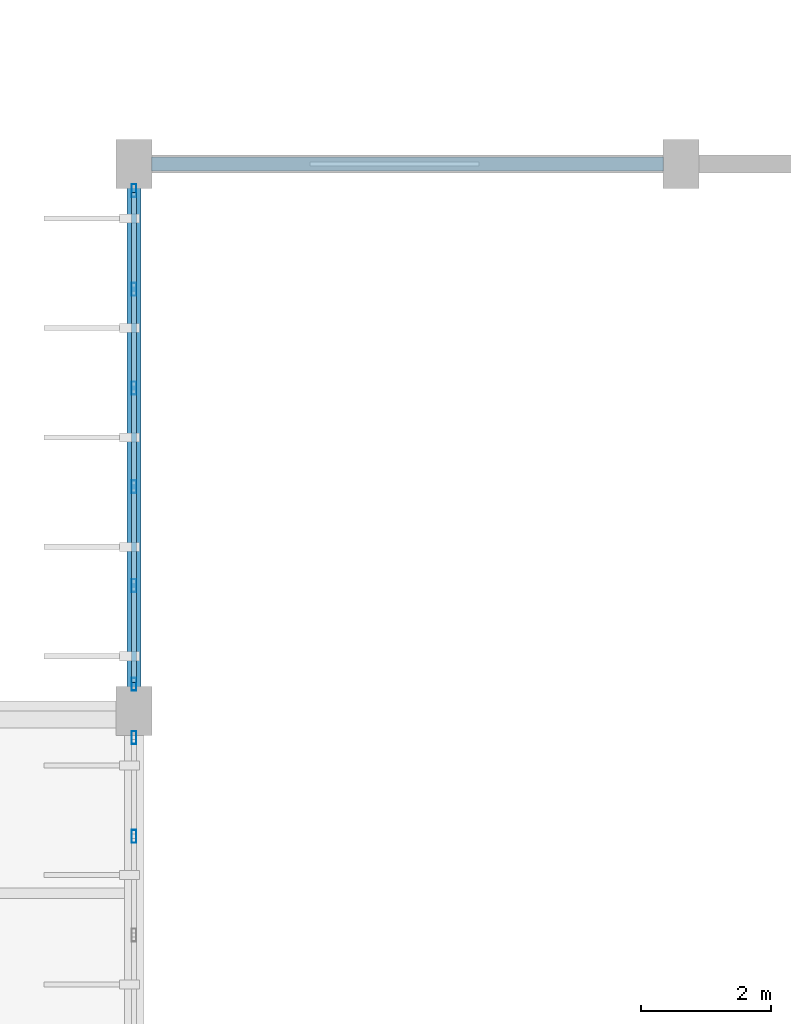
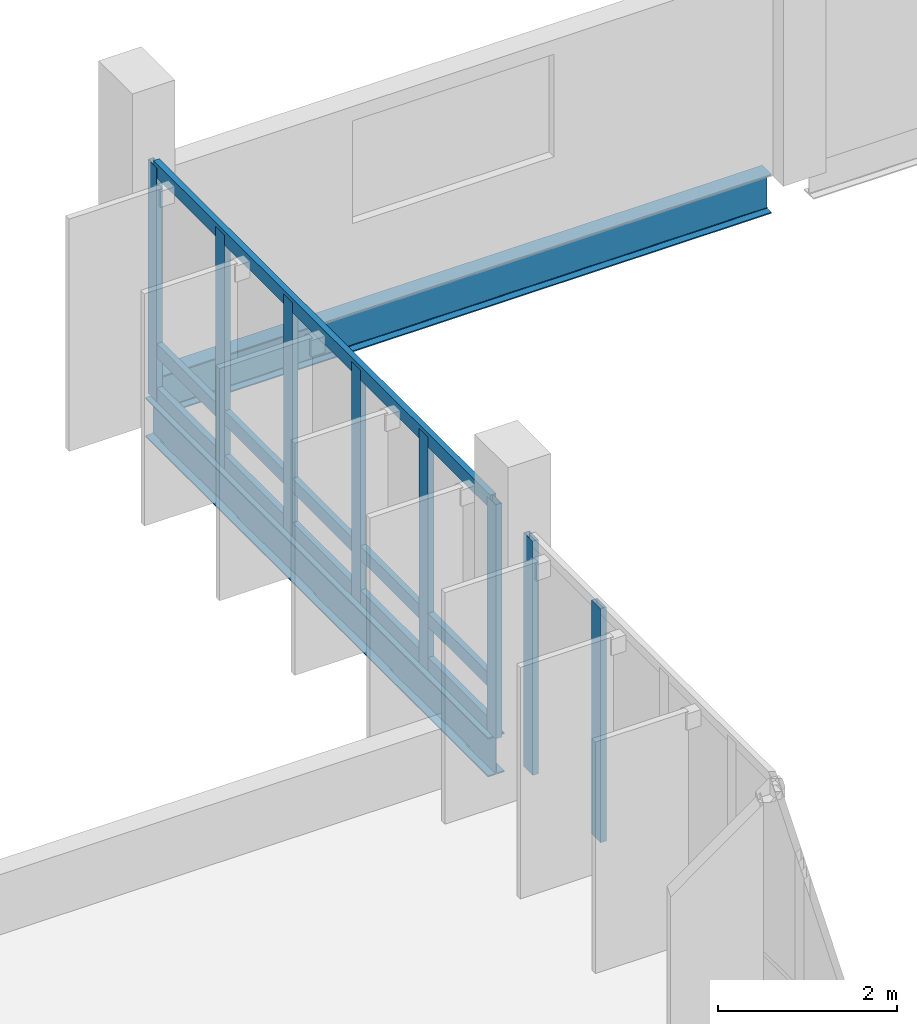
# One storey, part 92 of 130: 11 members, 2 beams, 2 elements without a shape of their own.
"""IFC4 building model written with IfcOpenShell, lengths in metres."""

from ifc_helpers import new_model, si_unit, direction, frame, origin, origin_2d, place, context, subcontext, project, spatial, hollow_rectangle, i_section, extrude, material, layer, layer_set, material_profile, profile_set, type_object, element, aggregate, save


model = new_model("IFC4")

# Units and contexts
model_context = context("Model", 3, precision=1e-05, world=origin(), true_north=direction((0.0, 1.0)))
body_context = subcontext(model_context, "Body", "Model", "MODEL_VIEW")
ifc_project = project(units=[si_unit("LENGTHUNIT", "METRE"), si_unit("AREAUNIT", "SQUARE_METRE"), si_unit("VOLUMEUNIT", "CUBIC_METRE"), si_unit("PLANEANGLEUNIT", "RADIAN"), si_unit("MASSUNIT", "GRAM", prefix="KILO")], contexts=[model_context])

# Site, building, storey
site_placement = place(None, origin())
site = spatial("IfcSite", under=ifc_project, at=site_placement, CompositionType="ELEMENT")
building_placement = place(site_placement, origin())
building = spatial("IfcBuilding", under=site, at=building_placement, Name="Vireocrest Preparatory School", CompositionType="ELEMENT")
storey_placement = place(building_placement, frame((0.0, 0.0, 9.0)))
storey = spatial("IfcBuildingStorey", under=building, at=storey_placement, Name="L02", CompositionType="ELEMENT", Elevation=9.0)

# Curtain wall, members
ifc_material_1 = material(Name="Thermally broken aluminium EN AW-6063-T6", Category="aluminium")
ifc_layer = layer(ifc_material_1, 0.179931640625)
ifc_layer_set = layer_set([ifc_layer], Name="Thermally broken aluminium EN AW-6063-T6")
curtain_wall_type = type_object("IfcCurtainWallType", Name="Teaching Fin Curtain Wall 8400x4200", PredefinedType="USERDEFINED", material=ifc_layer_set)
curtain_wall_1_placement = place(storey_placement, origin())
curtain_wall_1 = element("IfcCurtainWall", 1, at=curtain_wall_1_placement, inside=storey, type_object=curtain_wall_type, Name="Curtain Wall CW03 CW_L02_CW03_1428_0358_090", ObjectType="CURTAIN WALL", PredefinedType="USERDEFINED")
ifc_material_profile_1 = material_profile(ifc_material_1, hollow_rectangle(XDim=0.074951171875, YDim=0.199951171875, WallThickness=0.0048828125, at=origin_2d()), Name="ALU 75x200x5")
ifc_profile_set_1 = profile_set([ifc_material_profile_1], Name="Thermally broken aluminium EN AW-6063-T6")
member_type_1 = type_object("IfcMemberType", Name="CW Mullion 75x200x5", PredefinedType="MULLION", material=ifc_profile_set_1)
member_1_placement = place(storey_placement, frame((142.800048828125, 41.8740234375, 0.0), z_axis=(0.0, 0.0, 1.0), x_axis=(1.0, 0.0, 0.0)))
member_1 = element("IfcMember", 2, at=member_1_placement, type_object=member_type_1, Name="CW Mullion ML3 CW_L02_CW03_1428_0358_090-5", PredefinedType="MULLION", context=body_context, shape_type="SweptSolid", body=[
    extrude(hollow_rectangle(XDim=0.074951171875, YDim=0.199951171875, WallThickness=0.0048828125, at=origin_2d()), origin(), (0.0, 0.0, 1.0), 3.19189453125),
])
member_2_placement = place(storey_placement, frame((142.800048828125, 43.389892578125, 0.0), z_axis=(0.0, 0.0, 1.0), x_axis=(1.0, 0.0, 0.0)))
member_2 = element("IfcMember", 3, at=member_2_placement, type_object=member_type_1, Name="CW Mullion ML3 CW_L02_CW03_1428_0358_090-6", PredefinedType="MULLION", context=body_context, shape_type="SweptSolid", body=[
    extrude(hollow_rectangle(XDim=0.074951171875, YDim=0.199951171875, WallThickness=0.0048828125, at=origin_2d()), origin(), (0.0, 0.0, 1.0), 3.19189453125),
])
aggregate(curtain_wall_1, [member_1, member_2])

curtain_wall_2_placement = place(storey_placement, origin())
curtain_wall_2 = element("IfcCurtainWall", 4, at=curtain_wall_2_placement, inside=storey, type_object=curtain_wall_type, Name="Curtain Wall CW03 CW_L02_CW03_1428_0442_090", ObjectType="CURTAIN WALL", PredefinedType="USERDEFINED")
member_3_placement = place(storey_placement, frame((142.800048828125, 44.2099609375, 0.0), z_axis=(0.0, 0.0, 1.0), x_axis=(1.0, 0.0, 0.0)))
member_3 = element("IfcMember", 5, at=member_3_placement, type_object=member_type_1, Name="CW Mullion ML3 CW_L02_CW03_1428_0442_090-1", PredefinedType="MULLION", context=body_context, shape_type="SweptSolid", body=[
    extrude(hollow_rectangle(XDim=0.074951171875, YDim=0.199951171875, WallThickness=0.0048828125, at=origin_2d()), origin(), (0.0, 0.0, 1.0), 3.19189453125),
])
member_4_placement = place(storey_placement, frame((142.800048828125, 45.72607421875, 0.0), z_axis=(0.0, 0.0, 1.0), x_axis=(1.0, 0.0, 0.0)))
member_4 = element("IfcMember", 6, at=member_4_placement, type_object=member_type_1, Name="CW Mullion ML3 CW_L02_CW03_1428_0442_090-2", PredefinedType="MULLION", context=body_context, shape_type="SweptSolid", body=[
    extrude(hollow_rectangle(XDim=0.074951171875, YDim=0.199951171875, WallThickness=0.0048828125, at=origin_2d()), origin(), (0.0, 0.0, 1.0), 3.19189453125),
])
member_5_placement = place(storey_placement, frame((142.800048828125, 47.241943359375, 0.0), z_axis=(0.0, 0.0, 1.0), x_axis=(1.0, 0.0, 0.0)))
member_5 = element("IfcMember", 7, at=member_5_placement, type_object=member_type_1, Name="CW Mullion ML3 CW_L02_CW03_1428_0442_090-3", PredefinedType="MULLION", context=body_context, shape_type="SweptSolid", body=[
    extrude(hollow_rectangle(XDim=0.074951171875, YDim=0.199951171875, WallThickness=0.0048828125, at=origin_2d()), origin(), (0.0, 0.0, 1.0), 3.19189453125),
])
member_6_placement = place(storey_placement, frame((142.800048828125, 48.758056640625, 0.0), z_axis=(0.0, 0.0, 1.0), x_axis=(1.0, 0.0, 0.0)))
member_6 = element("IfcMember", 8, at=member_6_placement, type_object=member_type_1, Name="CW Mullion ML3 CW_L02_CW03_1428_0442_090-4", PredefinedType="MULLION", context=body_context, shape_type="SweptSolid", body=[
    extrude(hollow_rectangle(XDim=0.074951171875, YDim=0.199951171875, WallThickness=0.0048828125, at=origin_2d()), origin(), (0.0, 0.0, 1.0), 3.19189453125),
])
member_7_placement = place(storey_placement, frame((142.800048828125, 50.27392578125, 0.0), z_axis=(0.0, 0.0, 1.0), x_axis=(1.0, 0.0, 0.0)))
member_7 = element("IfcMember", 9, at=member_7_placement, type_object=member_type_1, Name="CW Mullion ML3 CW_L02_CW03_1428_0442_090-5", PredefinedType="MULLION", context=body_context, shape_type="SweptSolid", body=[
    extrude(hollow_rectangle(XDim=0.074951171875, YDim=0.199951171875, WallThickness=0.0048828125, at=origin_2d()), origin(), (0.0, 0.0, 1.0), 3.19189453125),
])
member_8_placement = place(storey_placement, frame((142.800048828125, 51.7900390625, 0.0), z_axis=(0.0, 0.0, 1.0), x_axis=(1.0, 0.0, 0.0)))
member_8 = element("IfcMember", 10, at=member_8_placement, type_object=member_type_1, Name="CW Mullion ML3 CW_L02_CW03_1428_0442_090-6", PredefinedType="MULLION", context=body_context, shape_type="SweptSolid", body=[
    extrude(hollow_rectangle(XDim=0.074951171875, YDim=0.199951171875, WallThickness=0.0048828125, at=origin_2d()), origin(), (0.0, 0.0, 1.0), 3.19189453125),
])
ifc_material_profile_2 = material_profile(ifc_material_1, hollow_rectangle(XDim=0.074951171875, YDim=0.18994140625, WallThickness=0.00390625, at=origin_2d()), Name="ALU 75x190x4")
ifc_profile_set_2 = profile_set([ifc_material_profile_2], Name="Thermally broken aluminium EN AW-6063-T6")
member_type_2 = type_object("IfcMemberType", Name="CW Transom 75x190x4", PredefinedType="USERDEFINED", material=ifc_profile_set_2)
member_9_placement = place(storey_placement, frame((142.800048828125, 44.235107421875, 0.094970703125), z_axis=(0.0, 1.0, 0.0), x_axis=(-1.0, 0.0, 0.0)))
member_9 = element("IfcMember", 11, at=member_9_placement, type_object=member_type_2, Name="CW Transom TR3 CW_L02_CW03_1428_0442_090-1", ObjectType="TRANSOM", PredefinedType="USERDEFINED", context=body_context, shape_type="SweptSolid", body=[
    extrude(hollow_rectangle(XDim=0.074951171875, YDim=0.18994140625, WallThickness=0.00390625, at=origin_2d()), origin(), (0.0, 0.0, 1.0), 7.52978515625),
])
member_10_placement = place(storey_placement, frame((142.800048828125, 44.235107421875, 0.699951171875), z_axis=(0.0, 1.0, 0.0), x_axis=(-1.0, 0.0, 0.0)))
member_10 = element("IfcMember", 12, at=member_10_placement, type_object=member_type_2, Name="CW Transom TR3 CW_L02_CW03_1428_0442_090-2", ObjectType="TRANSOM", PredefinedType="USERDEFINED", context=body_context, shape_type="SweptSolid", body=[
    extrude(hollow_rectangle(XDim=0.074951171875, YDim=0.18994140625, WallThickness=0.00390625, at=origin_2d()), origin(), (0.0, 0.0, 1.0), 7.52978515625),
])
member_11_placement = place(storey_placement, frame((142.800048828125, 44.235107421875, 3.152099609375), z_axis=(0.0, 1.0, 0.0), x_axis=(-1.0, 0.0, 0.0)))
member_11 = element("IfcMember", 13, at=member_11_placement, type_object=member_type_2, Name="CW Transom TR3 CW_L02_CW03_1428_0442_090-3", ObjectType="TRANSOM", PredefinedType="USERDEFINED", context=body_context, shape_type="SweptSolid", body=[
    extrude(hollow_rectangle(XDim=0.074951171875, YDim=0.18994140625, WallThickness=0.00390625, at=origin_2d()), origin(), (0.0, 0.0, 1.0), 7.52978515625),
])
aggregate(curtain_wall_2, [member_3, member_4, member_5, member_6, member_7, member_8, member_9, member_10, member_11])

# Beams
ifc_material_2 = material(Name="Structural steel ASTM A992 Grade 50", Category="steel")
ifc_material_profile_3 = material_profile(ifc_material_2, i_section(OverallWidth=0.208984375, OverallDepth=0.532958984375, WebThickness=0.01025390625, FlangeThickness=0.015625, FilletRadius=0.014892578125, at=origin_2d()), Name="W21X62")
ifc_profile_set_3 = profile_set([ifc_material_profile_3], Name="Structural steel ASTM A992 Grade 50")
beam_type = type_object("IfcBeamType", Name="Court Tie Girder W21X62", PredefinedType="BEAM", material=ifc_profile_set_3)
beam_1_placement = place(storey_placement, frame((143.070068359375, 52.199951171875, -0.2666015625), z_axis=(1.0, 0.0, 0.0), x_axis=(0.0, 1.0, 0.0)))
element("IfcBeam", 14, at=beam_1_placement, inside=storey, type_object=beam_type, Name="Hall Perimeter Wall Girt SB5 L02-30", PredefinedType="BEAM", context=body_context, shape_type="SweptSolid", body=[
    extrude(i_section(OverallWidth=0.208984375, OverallDepth=0.532958984375, WebThickness=0.01025390625, FlangeThickness=0.015625, FilletRadius=0.014892578125, at=origin_2d()), origin(), (0.0, 0.0, 1.0), 7.85986328125),
])
beam_2_placement = place(storey_placement, frame((142.800048828125, 44.169921875, -0.2666015625), z_axis=(0.0, 1.0, 0.0), x_axis=(-1.0, 0.0, 0.0)))
element("IfcBeam", 15, at=beam_2_placement, inside=storey, type_object=beam_type, Name="Hall Perimeter Wall Girt SB5 L02-33", PredefinedType="BEAM", context=body_context, shape_type="SweptSolid", body=[
    extrude(i_section(OverallWidth=0.208984375, OverallDepth=0.532958984375, WebThickness=0.01025390625, FlangeThickness=0.015625, FilletRadius=0.014892578125, at=origin_2d()), origin(), (0.0, 0.0, 1.0), 7.66015625),
])

save(model, "model.ifc")
